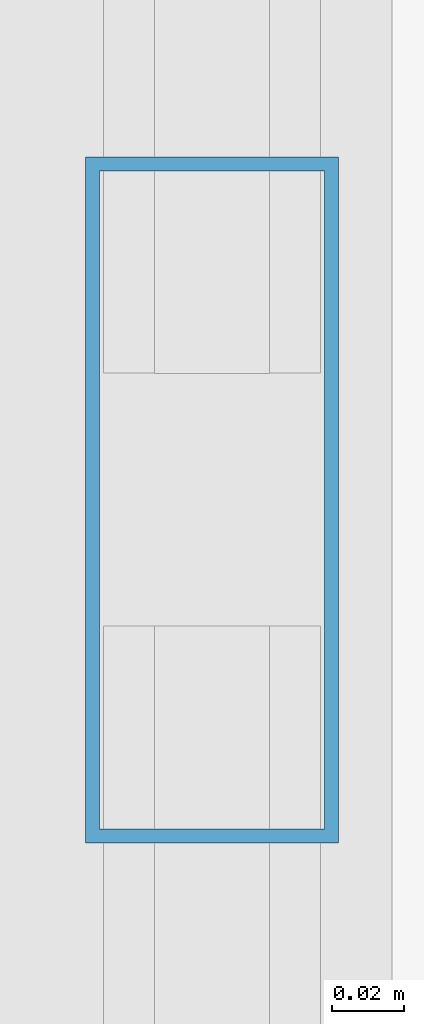
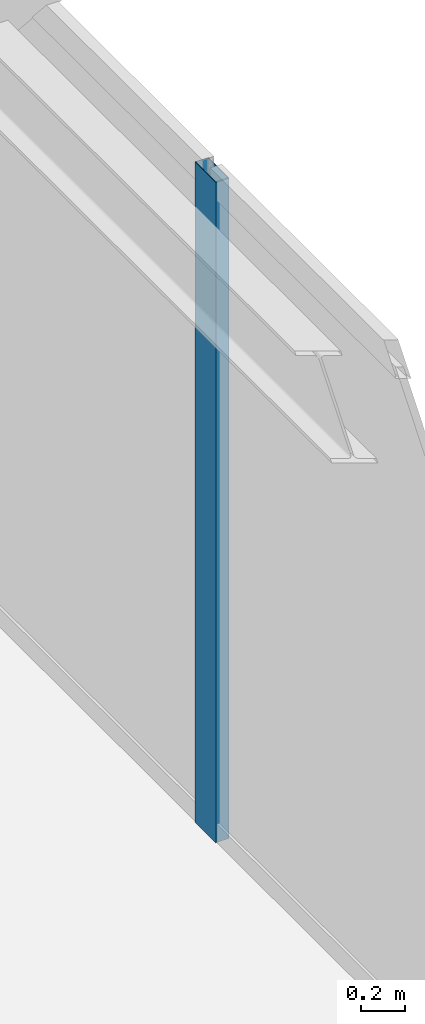
# One storey, part 19 of 32: 1 member, 1 element without a shape of its own.
"""IFC4 building model written with IfcOpenShell, lengths in metres."""

from ifc_helpers import new_model, si_unit, direction, frame, origin, origin_2d, place, context, subcontext, project, spatial, hollow_rectangle, extrude, source, transform, mapped, material, layer, layer_set, material_profile, profile_set, type_object, type_shapes, element, aggregate, save


model = new_model("IFC4")

# Units and contexts
model_context = context("Model", 3, precision=1e-05, world=origin(), true_north=direction((0.0, 1.0)))
body_context = subcontext(model_context, "Body", "Model", "MODEL_VIEW")
ifc_project = project(units=[si_unit("LENGTHUNIT", "METRE"), si_unit("AREAUNIT", "SQUARE_METRE"), si_unit("VOLUMEUNIT", "CUBIC_METRE"), si_unit("PLANEANGLEUNIT", "RADIAN"), si_unit("MASSUNIT", "GRAM", prefix="KILO")], contexts=[model_context])

# Site, building, storey
site_placement = place(None, origin())
site = spatial("IfcSite", under=ifc_project, at=site_placement, CompositionType="ELEMENT")
building_placement = place(site_placement, origin())
building = spatial("IfcBuilding", under=site, at=building_placement, Name="Varnel Quay Broadcast Tower", CompositionType="ELEMENT")
storey_placement = place(building_placement, frame((0.0, 0.0, 58.800048828125)))
storey = spatial("IfcBuildingStorey", under=building, at=storey_placement, Name="L13", CompositionType="ELEMENT", Elevation=58.800048828125)

# Curtain wall, member
ifc_material = material(Name="Anodised Bronze Aluminium 6063-T6", Category="aluminium")
ifc_layer = layer(ifc_material, 0.18994140625, Name="Anodised Bronze Aluminium 6063-T6")
ifc_layer_set = layer_set([ifc_layer], Name="Anodised Bronze Aluminium 6063-T6")
curtain_wall_type = type_object("IfcCurtainWallType", Name="CW_LowerTower", PredefinedType="NOTDEFINED", material=ifc_layer_set)
curtain_wall_placement = place(storey_placement, origin())
curtain_wall = element("IfcCurtainWall", 1, at=curtain_wall_placement, inside=storey, type_object=curtain_wall_type, Name="L13 East Unitised Curtain Wall", PredefinedType="NOTDEFINED")
ifc_material_profile = material_profile(ifc_material, hollow_rectangle(XDim=0.070068359375, YDim=0.18994140625, WallThickness=0.00390625, at=origin_2d()), Name="ALU70X190X4")
ifc_profile_set = profile_set([ifc_material_profile], Name="Anodised Bronze Aluminium 6063-T6")
member_type = type_object("IfcMemberType", Name="Mull_CWS-02", PredefinedType="MULLION", material=ifc_profile_set)
shared_shape = source(origin(), body_context, "Body", "SweptSolid", [
    extrude(hollow_rectangle(XDim=0.070068359375, YDim=0.18994140625, WallThickness=0.00390625, at=origin_2d()), origin(), (0.0, 0.0, 1.0), 3.64990234375),
])
type_shapes(member_type, [shared_shape])
member_placement = place(storey_placement, frame((65.85009765625, 30.39990234375, 0.0), z_axis=(0.0, 0.0, 1.0), x_axis=(-1.0, 0.0, 0.0)))
member = element("IfcMember", 2, at=member_placement, type_object=member_type, Name="CWS-02 mullion 3", PredefinedType="MULLION", context=body_context, shape_type="MappedRepresentation", body=[
    mapped(shared_shape, transform((0.0, 0.0, 0.0), x_axis=(1.0, 0.0, 0.0), y_axis=(0.0, 1.0, 0.0), z_axis=(0.0, 0.0, 1.0), scale=1.0)),
])
aggregate(curtain_wall, [member])

save(model, "model.ifc")
